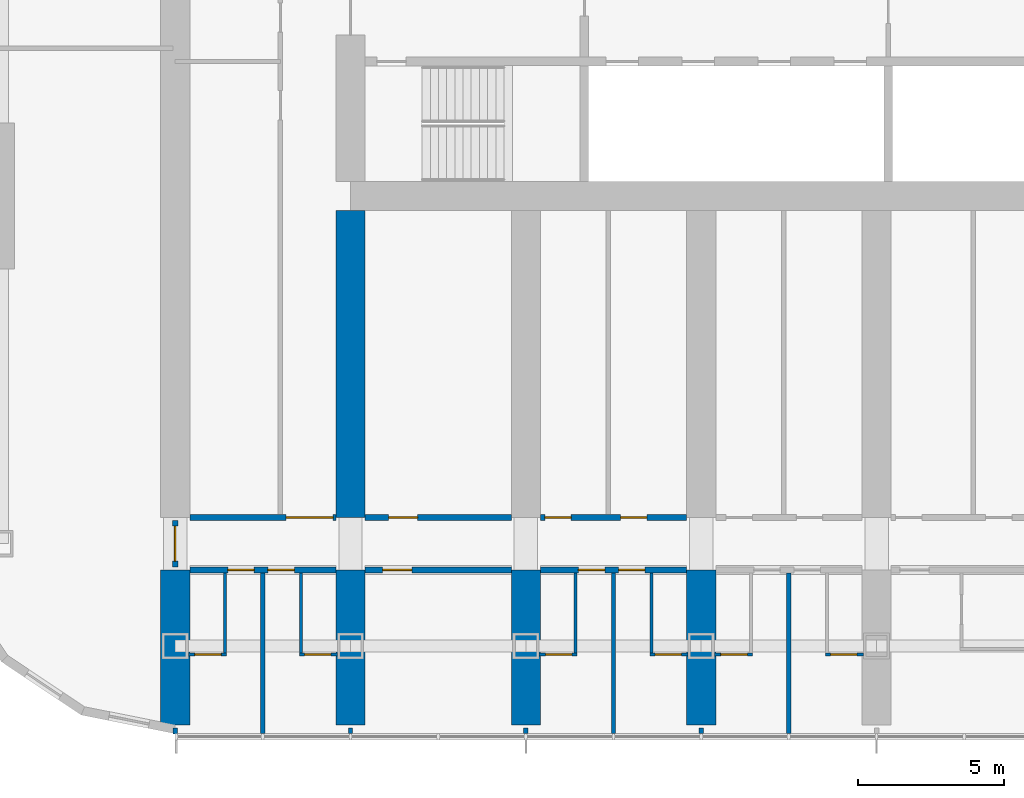
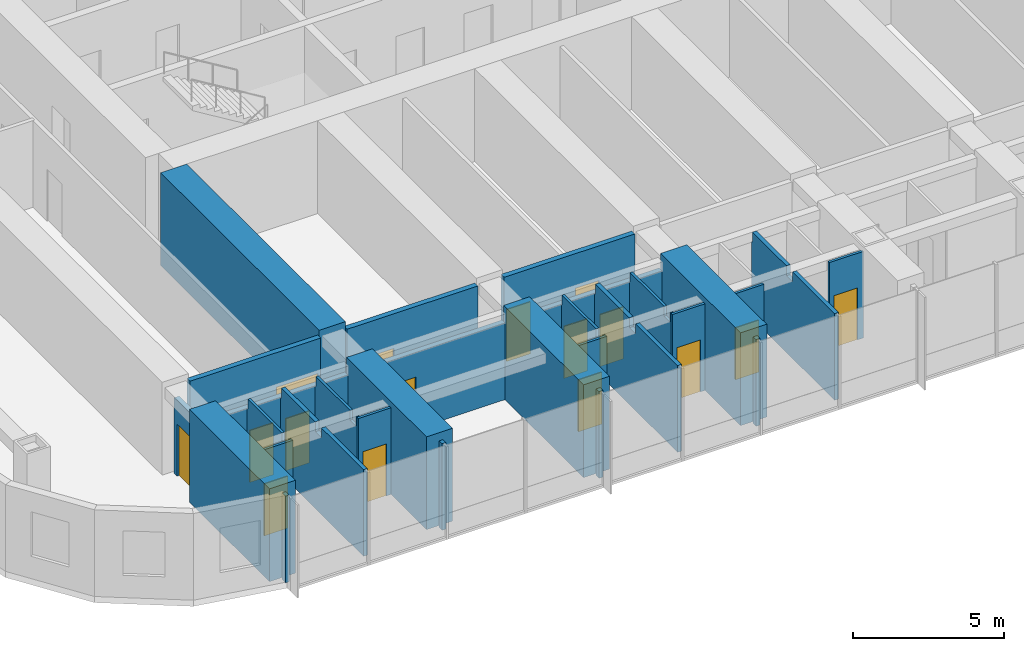
# One storey, part 10 of 23: 29 walls, 16 doors, 16 openings.
"""IFC4 building model written with IfcOpenShell, lengths in metres."""

from ifc_helpers import new_model, si_unit, direction, frame, frame_2d, origin, place, context, subcontext, project, spatial, polyline, rectangle, outline, extrude, material, layer, layer_set, type_object, element, fill, save


model = new_model("IFC4")

# Units and contexts
model_context = context("Model", 3, precision=1e-05, world=origin(), true_north=direction((0.0, 1.0)))
body_context = subcontext(model_context, "Body", "Model", "MODEL_VIEW")
ifc_project = project(units=[si_unit("LENGTHUNIT", "METRE"), si_unit("AREAUNIT", "SQUARE_METRE"), si_unit("VOLUMEUNIT", "CUBIC_METRE"), si_unit("PLANEANGLEUNIT", "RADIAN"), si_unit("MASSUNIT", "GRAM", prefix="KILO")], contexts=[model_context])

# Site, building, storey
site_placement = place(None, origin())
site = spatial("IfcSite", under=ifc_project, at=site_placement, CompositionType="ELEMENT")
building_placement = place(site_placement, origin())
building = spatial("IfcBuilding", under=site, at=building_placement, Name="Orbita Commons", CompositionType="ELEMENT")
storey_placement = place(building_placement, frame((0.0, 0.0, 42.699951171875)))
storey = spatial("IfcBuildingStorey", under=building, at=storey_placement, Name="L10", CompositionType="ELEMENT", Elevation=42.699951171875)

# Wall, openings, doors
ifc_material_1 = material(Name="Concrete blockwork", Category="masonry")
ifc_layer_1 = layer(ifc_material_1, 0.199951171875)
ifc_layer_set_1 = layer_set([ifc_layer_1], Name="Concrete blockwork")
wall_type_1 = type_object("IfcWallType", Name="Corridor wall 200 blockwork", PredefinedType="SOLIDWALL", material=ifc_layer_set_1)
wall_1_placement = place(storey_placement, frame((12.5, 13.0, 0.0), z_axis=(0.0, 0.0, 1.0), x_axis=(1.0, 0.0, 0.0)))
wall_1 = element("IfcWall", 1, at=wall_1_placement, inside=storey, type_object=wall_type_1, Name="Corridor wall 200 blockwork L10", PredefinedType="SOLIDWALL", context=body_context, shape_type="SweptSolid", body=[
    extrude(outline(polyline([(0.0, 0.0), (5.0, 0.0), (5.0, 3.10009765625), (0.0, 3.10009765625), (0.0, 0.0)])), frame((0.0, 0.10009765625, 0.0), z_axis=(0.0, -1.0, 0.0), x_axis=(1.0, 0.0, 0.0)), (0.0, 0.0, 1.0), 0.199951171875),
])
opening_1_placement = place(wall_1_placement, frame((1.300048828125, 0.0, 0.0)))
opening_1 = element("IfcOpeningElement", 2, at=opening_1_placement, cuts=wall_1, Name="Opening D11", PredefinedType="OPENING", context=body_context, shape_type="SweptSolid", body=[
    extrude(rectangle(XDim=0.89990234375, YDim=2.10009765625, at=frame_2d((0.449951171875, 1.050048828125))), frame((0.0, 0.10986328125, 0.0), z_axis=(0.0, -1.0, 0.0), x_axis=(1.0, 0.0, 0.0)), (0.0, 0.0, 1.0), 0.219970703125),
])
opening_2_placement = place(wall_1_placement, frame((2.675048828125, 0.0, 0.0)))
opening_2 = element("IfcOpeningElement", 3, at=opening_2_placement, cuts=wall_1, Name="Opening D11", PredefinedType="OPENING", context=body_context, shape_type="SweptSolid", body=[
    extrude(rectangle(XDim=0.89990234375, YDim=2.10009765625, at=frame_2d((0.449951171875, 1.050048828125))), frame((0.0, 0.10986328125, 0.0), z_axis=(0.0, -1.0, 0.0), x_axis=(1.0, 0.0, 0.0)), (0.0, 0.0, 1.0), 0.219970703125),
])
ifc_material_2 = material(Name="Steel-faced fire door leaf", Category="steel")
door_type_1 = type_object("IfcDoorType", Name="Corridor door 20 min 900x2100", OperationType="SINGLE_SWING_LEFT", PredefinedType="DOOR", material=ifc_material_2)
door_1_placement = place(opening_1_placement, origin())
door_1 = element("IfcDoor", 4, at=door_1_placement, inside=storey, type_object=door_type_1, Name="House bedroom L10-S00 door", OperationType="SINGLE_SWING_LEFT", OverallHeight=2.10009765625, OverallWidth=0.89990234375, PredefinedType="DOOR", context=body_context, shape_type="SweptSolid", body=[
    extrude(rectangle(XDim=0.89990234375, YDim=2.10009765625, at=frame_2d((0.449951171875, 1.050048828125))), frame((0.0, 0.02490234375, 0.0), z_axis=(0.0, -1.0, 0.0), x_axis=(1.0, 0.0, 0.0)), (0.0, 0.0, 1.0), 0.050048828125),
])
fill(opening_1, door_1)
door_2_placement = place(opening_2_placement, origin())
door_2 = element("IfcDoor", 5, at=door_2_placement, inside=storey, type_object=door_type_1, Name="House bedroom L10-S01 door", OperationType="SINGLE_SWING_LEFT", OverallHeight=2.10009765625, OverallWidth=0.89990234375, PredefinedType="DOOR", context=body_context, shape_type="SweptSolid", body=[
    extrude(rectangle(XDim=0.89990234375, YDim=2.10009765625, at=frame_2d((0.449951171875, 1.050048828125))), frame((0.0, 0.02490234375, 0.0), z_axis=(0.0, -1.0, 0.0), x_axis=(1.0, 0.0, 0.0)), (0.0, 0.0, 1.0), 0.050048828125),
])
fill(opening_2, door_2)

# Wall, opening, door
wall_2_placement = place(storey_placement, frame((18.5, 13.0, 0.0), z_axis=(0.0, 0.0, 1.0), x_axis=(1.0, 0.0, 0.0)))
wall_2 = element("IfcWall", 6, at=wall_2_placement, inside=storey, type_object=wall_type_1, Name="Corridor wall 200 blockwork L10", PredefinedType="SOLIDWALL", context=body_context, shape_type="SweptSolid", body=[
    extrude(outline(polyline([(0.0, 0.0), (5.0, 0.0), (5.0, 3.10009765625), (0.0, 3.10009765625), (0.0, 0.0)])), frame((0.0, 0.10009765625, 0.0), z_axis=(0.0, -1.0, 0.0), x_axis=(1.0, 0.0, 0.0)), (0.0, 0.0, 1.0), 0.199951171875),
])
opening_3_placement = place(wall_2_placement, frame((0.60009765625, 0.0, 0.0)))
opening_3 = element("IfcOpeningElement", 7, at=opening_3_placement, cuts=wall_2, Name="Opening D06", PredefinedType="OPENING", context=body_context, shape_type="SweptSolid", body=[
    extrude(rectangle(XDim=1.0, YDim=2.10009765625, at=frame_2d((0.5, 1.050048828125))), frame((0.0, 0.10986328125, 0.0), z_axis=(0.0, -1.0, 0.0), x_axis=(1.0, 0.0, 0.0)), (0.0, 0.0, 1.0), 0.219970703125),
])
ifc_material_3 = material(Name="Steel-faced fire door leaf", Category="steel")
door_type_2 = type_object("IfcDoorType", Name="Corridor door 20 min 1000x2100", OperationType="SINGLE_SWING_LEFT", PredefinedType="DOOR", material=ifc_material_3)
door_3_placement = place(opening_3_placement, origin())
door_3 = element("IfcDoor", 8, at=door_3_placement, inside=storey, type_object=door_type_2, Name="House study room L10-S02 door", OperationType="SINGLE_SWING_LEFT", OverallHeight=2.10009765625, OverallWidth=1.0, PredefinedType="DOOR", context=body_context, shape_type="SweptSolid", body=[
    extrude(rectangle(XDim=1.0, YDim=2.10009765625, at=frame_2d((0.5, 1.050048828125))), frame((0.0, 0.02490234375, 0.0), z_axis=(0.0, -1.0, 0.0), x_axis=(1.0, 0.0, 0.0)), (0.0, 0.0, 1.0), 0.050048828125),
])
fill(opening_3, door_3)

# Wall, openings, doors
wall_3_placement = place(storey_placement, frame((24.5, 13.0, 0.0), z_axis=(0.0, 0.0, 1.0), x_axis=(1.0, 0.0, 0.0)))
wall_3 = element("IfcWall", 9, at=wall_3_placement, inside=storey, type_object=wall_type_1, Name="Corridor wall 200 blockwork L10", PredefinedType="SOLIDWALL", context=body_context, shape_type="SweptSolid", body=[
    extrude(outline(polyline([(0.0, 0.0), (5.0, 0.0), (5.0, 3.10009765625), (0.0, 3.10009765625), (0.0, 0.0)])), frame((0.0, 0.10009765625, 0.0), z_axis=(0.0, -1.0, 0.0), x_axis=(1.0, 0.0, 0.0)), (0.0, 0.0, 1.0), 0.199951171875),
])
opening_4_placement = place(wall_3_placement, frame((1.300048828125, 0.0, 0.0)))
opening_4 = element("IfcOpeningElement", 10, at=opening_4_placement, cuts=wall_3, Name="Opening D11", PredefinedType="OPENING", context=body_context, shape_type="SweptSolid", body=[
    extrude(rectangle(XDim=0.89990234375, YDim=2.10009765625, at=frame_2d((0.449951171875, 1.050048828125))), frame((0.0, 0.10986328125, 0.0), z_axis=(0.0, -1.0, 0.0), x_axis=(1.0, 0.0, 0.0)), (0.0, 0.0, 1.0), 0.219970703125),
])
opening_5_placement = place(wall_3_placement, frame((2.675048828125, 0.0, 0.0)))
opening_5 = element("IfcOpeningElement", 11, at=opening_5_placement, cuts=wall_3, Name="Opening D11", PredefinedType="OPENING", context=body_context, shape_type="SweptSolid", body=[
    extrude(rectangle(XDim=0.89990234375, YDim=2.10009765625, at=frame_2d((0.449951171875, 1.050048828125))), frame((0.0, 0.10986328125, 0.0), z_axis=(0.0, -1.0, 0.0), x_axis=(1.0, 0.0, 0.0)), (0.0, 0.0, 1.0), 0.219970703125),
])
door_4_placement = place(opening_4_placement, origin())
door_4 = element("IfcDoor", 12, at=door_4_placement, inside=storey, type_object=door_type_1, Name="House bedroom L10-S04 door", OperationType="SINGLE_SWING_LEFT", OverallHeight=2.10009765625, OverallWidth=0.89990234375, PredefinedType="DOOR", context=body_context, shape_type="SweptSolid", body=[
    extrude(rectangle(XDim=0.89990234375, YDim=2.10009765625, at=frame_2d((0.449951171875, 1.050048828125))), frame((0.0, 0.02490234375, 0.0), z_axis=(0.0, -1.0, 0.0), x_axis=(1.0, 0.0, 0.0)), (0.0, 0.0, 1.0), 0.050048828125),
])
fill(opening_4, door_4)
door_5_placement = place(opening_5_placement, origin())
door_5 = element("IfcDoor", 13, at=door_5_placement, inside=storey, type_object=door_type_1, Name="House bedroom L10-S05 door", OperationType="SINGLE_SWING_LEFT", OverallHeight=2.10009765625, OverallWidth=0.89990234375, PredefinedType="DOOR", context=body_context, shape_type="SweptSolid", body=[
    extrude(rectangle(XDim=0.89990234375, YDim=2.10009765625, at=frame_2d((0.449951171875, 1.050048828125))), frame((0.0, 0.02490234375, 0.0), z_axis=(0.0, -1.0, 0.0), x_axis=(1.0, 0.0, 0.0)), (0.0, 0.0, 1.0), 0.050048828125),
])
fill(opening_5, door_5)

# Wall, opening, door
wall_4_placement = place(storey_placement, frame((12.0, 13.10009765625, 0.0), z_axis=(0.0, 0.0, 1.0), x_axis=(0.0, 1.0, 0.0)))
wall_4 = element("IfcWall", 14, at=wall_4_placement, inside=storey, type_object=wall_type_1, Name="Corridor wall 200 blockwork L10", PredefinedType="SOLIDWALL", context=body_context, shape_type="SweptSolid", body=[
    extrude(outline(polyline([(0.0, 0.0), (1.599853515625, 0.0), (1.60009765625, 3.050048828125), (0.0, 3.050048828125), (0.0, 0.0)])), frame((0.0, 0.10009765625, 0.0), z_axis=(0.0, -1.0, 0.0), x_axis=(1.0, 0.0, 0.0)), (0.0, 0.0, 1.0), 0.199951171875),
])
opening_6_placement = place(wall_4_placement, frame((0.199951171875, 0.0, 0.0)))
opening_6 = element("IfcOpeningElement", 15, at=opening_6_placement, cuts=wall_4, Name="Opening D12", PredefinedType="OPENING", context=body_context, shape_type="SweptSolid", body=[
    extrude(rectangle(XDim=1.199951171875, YDim=2.10009765625, at=frame_2d((0.60009765625, 1.050048828125))), frame((0.0, 0.10986328125, 0.0), z_axis=(0.0, -1.0, 0.0), x_axis=(1.0, 0.0, 0.0)), (0.0, 0.0, 1.0), 0.219970703125),
])
ifc_material_4 = material(Name="Steel-faced fire door leaf", Category="steel")
door_type_3 = type_object("IfcDoorType", Name="Double corridor door 20 min 1200x2100", OperationType="DOUBLE_DOOR_SINGLE_SWING", PredefinedType="DOOR", material=ifc_material_4)
door_6_placement = place(opening_6_placement, origin())
door_6 = element("IfcDoor", 16, at=door_6_placement, inside=storey, type_object=door_type_3, Name="Lounge doors", OperationType="DOUBLE_DOOR_SINGLE_SWING", OverallHeight=2.10009765625, OverallWidth=1.199951171875, PredefinedType="DOOR", context=body_context, shape_type="SweptSolid", body=[
    extrude(rectangle(XDim=1.199951171875, YDim=2.10009765625, at=frame_2d((0.60009765625, 1.050048828125))), frame((0.0, 0.02490234375, 0.0), z_axis=(0.0, -1.0, 0.0), x_axis=(1.0, 0.0, 0.0)), (0.0, 0.0, 1.0), 0.050048828125),
])
fill(opening_6, door_6)

ifc_material_5 = material(Name="Hollow concrete block 200", Category="concrete")
ifc_layer_2 = layer(ifc_material_5, 0.199951171875)
ifc_layer_set_2 = layer_set([ifc_layer_2], Name="Hollow concrete block 200")
wall_type_2 = type_object("IfcWallType", Name="Corridor wall 200 hollow concrete block", PredefinedType="SOLIDWALL", material=ifc_layer_set_2)
wall_5_placement = place(storey_placement, frame((12.5, 14.800048828125, 0.0), z_axis=(0.0, 0.0, 1.0), x_axis=(1.0, 0.0, 0.0)))
wall_5 = element("IfcWall", 17, at=wall_5_placement, inside=storey, type_object=wall_type_2, Name="Corridor wall 200 hollow concrete block L10", PredefinedType="SOLIDWALL", context=body_context, shape_type="SweptSolid", body=[
    extrude(rectangle(XDim=5.0, YDim=0.199951171875, at=frame_2d((2.5, 0.0))), origin(), (0.0, 0.0, 1.0), 3.5),
])
opening_7_placement = place(wall_5_placement, frame((3.300048828125, 0.0, 0.0)))
opening_7 = element("IfcOpeningElement", 18, at=opening_7_placement, cuts=wall_5, Name="Opening D10", PredefinedType="OPENING", context=body_context, shape_type="SweptSolid", body=[
    extrude(rectangle(XDim=1.60009765625, YDim=2.10009765625, at=frame_2d((0.800048828125, 1.050048828125))), frame((0.0, 0.10986328125, 0.0), z_axis=(0.0, -1.0, 0.0), x_axis=(1.0, 0.0, 0.0)), (0.0, 0.0, 1.0), 0.219970703125),
])
ifc_material_6 = material(Name="Steel-faced fire door leaf", Category="steel")
door_type_4 = type_object("IfcDoorType", Name="Double corridor door 20 min 1600x2100", OperationType="DOUBLE_DOOR_SINGLE_SWING", PredefinedType="DOOR", material=ifc_material_6)
door_7_placement = place(opening_7_placement, origin())
door_7 = element("IfcDoor", 19, at=door_7_placement, inside=storey, type_object=door_type_4, Name="Cross corridor doors", OperationType="DOUBLE_DOOR_SINGLE_SWING", OverallHeight=2.10009765625, OverallWidth=1.60009765625, PredefinedType="DOOR", context=body_context, shape_type="SweptSolid", body=[
    extrude(rectangle(XDim=1.60009765625, YDim=2.10009765625, at=frame_2d((0.800048828125, 1.050048828125))), frame((0.0, 0.02490234375, 0.0), z_axis=(0.0, -1.0, 0.0), x_axis=(1.0, 0.0, 0.0)), (0.0, 0.0, 1.0), 0.050048828125),
])
fill(opening_7, door_7)

wall_6_placement = place(storey_placement, frame((18.5, 14.800048828125, 0.0), z_axis=(0.0, 0.0, 1.0), x_axis=(1.0, 0.0, 0.0)))
wall_6 = element("IfcWall", 20, at=wall_6_placement, inside=storey, type_object=wall_type_2, Name="Corridor wall 200 hollow concrete block L10", PredefinedType="SOLIDWALL", context=body_context, shape_type="SweptSolid", body=[
    extrude(rectangle(XDim=5.0, YDim=0.199951171875, at=frame_2d((2.5, 0.0))), origin(), (0.0, 0.0, 1.0), 3.5),
])
opening_8_placement = place(wall_6_placement, frame((0.800048828125, 0.0, 0.0)))
opening_8 = element("IfcOpeningElement", 21, at=opening_8_placement, cuts=wall_6, Name="Opening D06", PredefinedType="OPENING", context=body_context, shape_type="SweptSolid", body=[
    extrude(rectangle(XDim=1.0, YDim=2.10009765625, at=frame_2d((0.5, 1.050048828125))), frame((0.0, 0.10986328125, 0.0), z_axis=(0.0, -1.0, 0.0), x_axis=(1.0, 0.0, 0.0)), (0.0, 0.0, 1.0), 0.219970703125),
])
door_8_placement = place(opening_8_placement, origin())
door_8 = element("IfcDoor", 22, at=door_8_placement, inside=storey, type_object=door_type_2, Name="IT and print room L10-BDS18 door", OperationType="SINGLE_SWING_LEFT", OverallHeight=2.10009765625, OverallWidth=1.0, PredefinedType="DOOR", context=body_context, shape_type="SweptSolid", body=[
    extrude(rectangle(XDim=1.0, YDim=2.10009765625, at=frame_2d((0.5, 1.050048828125))), frame((0.0, 0.02490234375, 0.0), z_axis=(0.0, -1.0, 0.0), x_axis=(1.0, 0.0, 0.0)), (0.0, 0.0, 1.0), 0.050048828125),
])
fill(opening_8, door_8)

# Wall, openings, doors
wall_7_placement = place(storey_placement, frame((24.5, 14.800048828125, 0.0), z_axis=(0.0, 0.0, 1.0), x_axis=(1.0, 0.0, 0.0)))
wall_7 = element("IfcWall", 23, at=wall_7_placement, inside=storey, type_object=wall_type_2, Name="Corridor wall 200 hollow concrete block L10", PredefinedType="SOLIDWALL", context=body_context, shape_type="SweptSolid", body=[
    extrude(rectangle(XDim=5.0, YDim=0.199951171875, at=frame_2d((2.5, 0.0))), origin(), (0.0, 0.0, 1.0), 3.5),
])
opening_9_placement = place(wall_7_placement, frame((0.14990234375, 0.0, 0.0)))
opening_9 = element("IfcOpeningElement", 24, at=opening_9_placement, cuts=wall_7, Name="Opening D11", PredefinedType="OPENING", context=body_context, shape_type="SweptSolid", body=[
    extrude(rectangle(XDim=0.89990234375, YDim=2.10009765625, at=frame_2d((0.449951171875, 1.050048828125))), frame((0.0, 0.10986328125, 0.0), z_axis=(0.0, -1.0, 0.0), x_axis=(1.0, 0.0, 0.0)), (0.0, 0.0, 1.0), 0.219970703125),
])
opening_10_placement = place(wall_7_placement, frame((2.739990234375, 0.0, 0.0)))
opening_10 = element("IfcOpeningElement", 25, at=opening_10_placement, cuts=wall_7, Name="Opening D11", PredefinedType="OPENING", context=body_context, shape_type="SweptSolid", body=[
    extrude(rectangle(XDim=0.89990234375, YDim=2.10009765625, at=frame_2d((0.449951171875, 1.050048828125))), frame((0.0, 0.10986328125, 0.0), z_axis=(0.0, -1.0, 0.0), x_axis=(1.0, 0.0, 0.0)), (0.0, 0.0, 1.0), 0.219970703125),
])
door_9_placement = place(opening_9_placement, origin())
door_9 = element("IfcDoor", 26, at=door_9_placement, inside=storey, type_object=door_type_1, Name="Accessible WC and shower room L10-BDS24n door", OperationType="SINGLE_SWING_LEFT", OverallHeight=2.10009765625, OverallWidth=0.89990234375, PredefinedType="DOOR", context=body_context, shape_type="SweptSolid", body=[
    extrude(rectangle(XDim=0.89990234375, YDim=2.10009765625, at=frame_2d((0.449951171875, 1.050048828125))), frame((0.0, 0.02490234375, 0.0), z_axis=(0.0, -1.0, 0.0), x_axis=(1.0, 0.0, 0.0)), (0.0, 0.0, 1.0), 0.050048828125),
])
fill(opening_9, door_9)
door_10_placement = place(opening_10_placement, origin())
door_10 = element("IfcDoor", 27, at=door_10_placement, inside=storey, type_object=door_type_1, Name="Bicycle repair workshop L10-BDS24 door", OperationType="SINGLE_SWING_LEFT", OverallHeight=2.10009765625, OverallWidth=0.89990234375, PredefinedType="DOOR", context=body_context, shape_type="SweptSolid", body=[
    extrude(rectangle(XDim=0.89990234375, YDim=2.10009765625, at=frame_2d((0.449951171875, 1.050048828125))), frame((0.0, 0.02490234375, 0.0), z_axis=(0.0, -1.0, 0.0), x_axis=(1.0, 0.0, 0.0)), (0.0, 0.0, 1.0), 0.050048828125),
])
fill(opening_10, door_10)

# Walls
ifc_material_7 = material(Name="Concrete C50/60", Category="concrete")
ifc_layer_3 = layer(ifc_material_7, 1.0)
ifc_layer_set_3 = layer_set([ifc_layer_3], Name="Concrete C50/60")
wall_type_3 = type_object("IfcWallType", Name="Cross wall 1000 C50/60", PredefinedType="SHEAR", material=ifc_layer_set_3)
for number, where, z_axis, x_axis, name in (
    (28, (12.0, 7.699951171875, 0.0), (0.0, 0.0, 1.0), (0.0, 1.0, 0.0), "Cross wall 3 south outer L10"),
    (29, (18.0, 7.699951171875, 0.0), (0.0, 0.0, 1.0), (0.0, 1.0, 0.0), "Cross wall 4 south outer L10"),
):
    element("IfcWall", number, at=place(storey_placement, frame(where, z_axis=z_axis, x_axis=x_axis)), inside=storey, type_object=wall_type_3, Name=name, PredefinedType="SHEAR", context=body_context, shape_type="SweptSolid", body=[
        extrude(rectangle(XDim=5.300048828125, YDim=1.0, at=frame_2d((2.64990234375, 0.0))), origin(), (0.0, 0.0, 1.0), 3.75),
    ])
wall_8_placement = place(storey_placement, frame((18.0, 14.800048828125, 0.0), z_axis=(0.0, 0.0, 1.0), x_axis=(0.0, 1.0, 0.0)))
element("IfcWall", 30, at=wall_8_placement, inside=storey, type_object=wall_type_3, Name="Cross wall 4 south inner L10", PredefinedType="SHEAR", context=body_context, shape_type="SweptSolid", body=[
    extrude(rectangle(XDim=10.5, YDim=1.0, at=frame_2d((5.25, 0.0))), origin(), (0.0, 0.0, 1.0), 3.75),
])
for number, where, z_axis, x_axis, name in (
    (31, (24.0, 7.699951171875, 0.0), (0.0, 0.0, 1.0), (0.0, 1.0, 0.0), "Cross wall 5 south outer L10"),
    (32, (30.0, 7.699951171875, 0.0), (0.0, 0.0, 1.0), (0.0, 1.0, 0.0), "Cross wall 6 south outer L10"),
):
    element("IfcWall", number, at=place(storey_placement, frame(where, z_axis=z_axis, x_axis=x_axis)), inside=storey, type_object=wall_type_3, Name=name, PredefinedType="SHEAR", context=body_context, shape_type="SweptSolid", body=[
        extrude(rectangle(XDim=5.300048828125, YDim=1.0, at=frame_2d((2.64990234375, 0.0))), origin(), (0.0, 0.0, 1.0), 3.75),
    ])

# Wall, opening, door
ifc_material_8 = material(Name="Moisture-resistant plasterboard on steel studs", Category="steel")
ifc_layer_4 = layer(ifc_material_8, 0.10009765625)
ifc_layer_set_4 = layer_set([ifc_layer_4], Name="Moisture-resistant plasterboard on steel studs")
wall_type_4 = type_object("IfcWallType", Name="En-suite partition 100", PredefinedType="PARTITIONING", material=ifc_layer_set_4)
wall_9_placement = place(storey_placement, frame((13.75, 10.10009765625, 0.0), z_axis=(0.0, 0.0, 1.0), x_axis=(-1.0, 0.0, 0.0)))
wall_9 = element("IfcWall", 33, at=wall_9_placement, inside=storey, type_object=wall_type_4, Name="En-suite partition 100 L10", PredefinedType="PARTITIONING", context=body_context, shape_type="SweptSolid", body=[
    extrude(rectangle(XDim=1.300048828125, YDim=0.10009765625, at=frame_2d((0.64990234375, 0.0))), origin(), (0.0, 0.0, 1.0), 3.5),
])
opening_11_placement = place(wall_9_placement, frame((0.175048828125, 0.0, 0.0)))
opening_11 = element("IfcOpeningElement", 34, at=opening_11_placement, cuts=wall_9, Name="Opening D09", PredefinedType="OPENING", context=body_context, shape_type="SweptSolid", body=[
    extrude(rectangle(XDim=0.89990234375, YDim=2.10009765625, at=frame_2d((0.449951171875, 1.050048828125))), frame((0.0, 0.06005859375, 0.0), z_axis=(0.0, -1.0, 0.0), x_axis=(1.0, 0.0, 0.0)), (0.0, 0.0, 1.0), 0.1201171875),
])
ifc_material_9 = material(Name="Laminated timber door leaf", Category="wood")
door_type_5 = type_object("IfcDoorType", Name="En-suite door 900x2100", OperationType="SINGLE_SWING_RIGHT", PredefinedType="DOOR", material=ifc_material_9)
door_11_placement = place(opening_11_placement, origin())
door_11 = element("IfcDoor", 35, at=door_11_placement, inside=storey, type_object=door_type_5, Name="En-suite L10-S00 door", OperationType="SINGLE_SWING_RIGHT", OverallHeight=2.10009765625, OverallWidth=0.89990234375, PredefinedType="DOOR", context=body_context, shape_type="SweptSolid", body=[
    extrude(rectangle(XDim=0.89990234375, YDim=2.10009765625, at=frame_2d((0.449951171875, 1.050048828125))), frame((0.0, 0.02490234375, 0.0), z_axis=(0.0, -1.0, 0.0), x_axis=(1.0, 0.0, 0.0)), (0.0, 0.0, 1.0), 0.050048828125),
])
fill(opening_11, door_11)

# Wall
wall_10_placement = place(storey_placement, frame((13.699951171875, 10.14990234375, 0.0), z_axis=(0.0, 0.0, 1.0), x_axis=(0.0, 1.0, 0.0)))
element("IfcWall", 36, at=wall_10_placement, inside=storey, type_object=wall_type_4, Name="En-suite partition 100 L10", PredefinedType="PARTITIONING", context=body_context, shape_type="SweptSolid", body=[
    extrude(outline(polyline([(0.0, 0.0), (2.75, 0.0), (2.75, 3.10009765625), (2.701904296875, 3.10009765625), (2.699951171875, 3.5), (0.451904296875, 3.5), (0.449951171875, 3.10009765625), (0.052001953125, 3.10009765625), (0.050048828125, 3.5), (0.0, 3.5), (0.0, 0.0)])), frame((0.0, 0.050048828125, 0.0), z_axis=(0.0, -1.0, 0.0), x_axis=(1.0, 0.0, 0.0)), (0.0, 0.0, 1.0), 0.10009765625),
])

# Wall, opening, door
wall_11_placement = place(storey_placement, frame((17.550048828125, 10.10009765625, 0.0), z_axis=(0.0, 0.0, 1.0), x_axis=(-1.0, 0.0, 0.0)))
wall_11 = element("IfcWall", 37, at=wall_11_placement, inside=storey, type_object=wall_type_4, Name="En-suite partition 100 L10", PredefinedType="PARTITIONING", context=body_context, shape_type="SweptSolid", body=[
    extrude(rectangle(XDim=1.300048828125, YDim=0.10009765625, at=frame_2d((0.64990234375, 0.0))), origin(), (0.0, 0.0, 1.0), 3.5),
])
opening_12_placement = place(wall_11_placement, frame((0.22509765625, 0.0, 0.0)))
opening_12 = element("IfcOpeningElement", 38, at=opening_12_placement, cuts=wall_11, Name="Opening D09", PredefinedType="OPENING", context=body_context, shape_type="SweptSolid", body=[
    extrude(rectangle(XDim=0.89990234375, YDim=2.10009765625, at=frame_2d((0.449951171875, 1.050048828125))), frame((0.0, 0.06005859375, 0.0), z_axis=(0.0, -1.0, 0.0), x_axis=(1.0, 0.0, 0.0)), (0.0, 0.0, 1.0), 0.1201171875),
])
door_12_placement = place(opening_12_placement, origin())
door_12 = element("IfcDoor", 39, at=door_12_placement, inside=storey, type_object=door_type_5, Name="En-suite L10-S01 door", OperationType="SINGLE_SWING_RIGHT", OverallHeight=2.10009765625, OverallWidth=0.89990234375, PredefinedType="DOOR", context=body_context, shape_type="SweptSolid", body=[
    extrude(rectangle(XDim=0.89990234375, YDim=2.10009765625, at=frame_2d((0.449951171875, 1.050048828125))), frame((0.0, 0.02490234375, 0.0), z_axis=(0.0, -1.0, 0.0), x_axis=(1.0, 0.0, 0.0)), (0.0, 0.0, 1.0), 0.050048828125),
])
fill(opening_12, door_12)

# Wall
wall_12_placement = place(storey_placement, frame((16.300048828125, 10.14990234375, 0.0), z_axis=(0.0, 0.0, 1.0), x_axis=(0.0, 1.0, 0.0)))
element("IfcWall", 40, at=wall_12_placement, inside=storey, type_object=wall_type_4, Name="En-suite partition 100 L10", PredefinedType="PARTITIONING", context=body_context, shape_type="SweptSolid", body=[
    extrude(outline(polyline([(0.0, 0.0), (2.75, 0.0), (2.75, 3.10009765625), (2.701904296875, 3.10009765625), (2.699951171875, 3.5), (0.451904296875, 3.5), (0.449951171875, 3.10009765625), (0.052001953125, 3.10009765625), (0.050048828125, 3.5), (0.0, 3.5), (0.0, 0.0)])), frame((0.0, 0.050048828125, 0.0), z_axis=(0.0, -1.0, 0.0), x_axis=(1.0, 0.0, 0.0)), (0.0, 0.0, 1.0), 0.10009765625),
])

# Wall, opening, door
wall_13_placement = place(storey_placement, frame((25.75, 10.10009765625, 0.0), z_axis=(0.0, 0.0, 1.0), x_axis=(-1.0, 0.0, 0.0)))
wall_13 = element("IfcWall", 41, at=wall_13_placement, inside=storey, type_object=wall_type_4, Name="En-suite partition 100 L10", PredefinedType="PARTITIONING", context=body_context, shape_type="SweptSolid", body=[
    extrude(rectangle(XDim=1.300048828125, YDim=0.10009765625, at=frame_2d((0.64990234375, 0.0))), origin(), (0.0, 0.0, 1.0), 3.5),
])
opening_13_placement = place(wall_13_placement, frame((0.175048828125, 0.0, 0.0)))
opening_13 = element("IfcOpeningElement", 42, at=opening_13_placement, cuts=wall_13, Name="Opening D09", PredefinedType="OPENING", context=body_context, shape_type="SweptSolid", body=[
    extrude(rectangle(XDim=0.89990234375, YDim=2.10009765625, at=frame_2d((0.449951171875, 1.050048828125))), frame((0.0, 0.06005859375, 0.0), z_axis=(0.0, -1.0, 0.0), x_axis=(1.0, 0.0, 0.0)), (0.0, 0.0, 1.0), 0.1201171875),
])
door_13_placement = place(opening_13_placement, origin())
door_13 = element("IfcDoor", 43, at=door_13_placement, inside=storey, type_object=door_type_5, Name="En-suite L10-S04 door", OperationType="SINGLE_SWING_RIGHT", OverallHeight=2.10009765625, OverallWidth=0.89990234375, PredefinedType="DOOR", context=body_context, shape_type="SweptSolid", body=[
    extrude(rectangle(XDim=0.89990234375, YDim=2.10009765625, at=frame_2d((0.449951171875, 1.050048828125))), frame((0.0, 0.02490234375, 0.0), z_axis=(0.0, -1.0, 0.0), x_axis=(1.0, 0.0, 0.0)), (0.0, 0.0, 1.0), 0.050048828125),
])
fill(opening_13, door_13)

# Wall
wall_14_placement = place(storey_placement, frame((25.699951171875, 10.14990234375, 0.0), z_axis=(0.0, 0.0, 1.0), x_axis=(0.0, 1.0, 0.0)))
element("IfcWall", 44, at=wall_14_placement, inside=storey, type_object=wall_type_4, Name="En-suite partition 100 L10", PredefinedType="PARTITIONING", context=body_context, shape_type="SweptSolid", body=[
    extrude(outline(polyline([(0.0, 0.0), (2.75, 0.0), (2.75, 3.10009765625), (2.701904296875, 3.10009765625), (2.699951171875, 3.5), (0.451904296875, 3.5), (0.449951171875, 3.10009765625), (0.052001953125, 3.10009765625), (0.050048828125, 3.5), (0.0, 3.5), (0.0, 0.0)])), frame((0.0, 0.050048828125, 0.0), z_axis=(0.0, -1.0, 0.0), x_axis=(1.0, 0.0, 0.0)), (0.0, 0.0, 1.0), 0.10009765625),
])

# Wall, opening, door
wall_15_placement = place(storey_placement, frame((29.550048828125, 10.10009765625, 0.0), z_axis=(0.0, 0.0, 1.0), x_axis=(-1.0, 0.0, 0.0)))
wall_15 = element("IfcWall", 45, at=wall_15_placement, inside=storey, type_object=wall_type_4, Name="En-suite partition 100 L10", PredefinedType="PARTITIONING", context=body_context, shape_type="SweptSolid", body=[
    extrude(rectangle(XDim=1.300048828125, YDim=0.10009765625, at=frame_2d((0.64990234375, 0.0))), origin(), (0.0, 0.0, 1.0), 3.5),
])
opening_14_placement = place(wall_15_placement, frame((0.22509765625, 0.0, 0.0)))
opening_14 = element("IfcOpeningElement", 46, at=opening_14_placement, cuts=wall_15, Name="Opening D09", PredefinedType="OPENING", context=body_context, shape_type="SweptSolid", body=[
    extrude(rectangle(XDim=0.89990234375, YDim=2.10009765625, at=frame_2d((0.449951171875, 1.050048828125))), frame((0.0, 0.06005859375, 0.0), z_axis=(0.0, -1.0, 0.0), x_axis=(1.0, 0.0, 0.0)), (0.0, 0.0, 1.0), 0.1201171875),
])
door_14_placement = place(opening_14_placement, origin())
door_14 = element("IfcDoor", 47, at=door_14_placement, inside=storey, type_object=door_type_5, Name="En-suite L10-S05 door", OperationType="SINGLE_SWING_RIGHT", OverallHeight=2.10009765625, OverallWidth=0.89990234375, PredefinedType="DOOR", context=body_context, shape_type="SweptSolid", body=[
    extrude(rectangle(XDim=0.89990234375, YDim=2.10009765625, at=frame_2d((0.449951171875, 1.050048828125))), frame((0.0, 0.02490234375, 0.0), z_axis=(0.0, -1.0, 0.0), x_axis=(1.0, 0.0, 0.0)), (0.0, 0.0, 1.0), 0.050048828125),
])
fill(opening_14, door_14)

# Wall
wall_16_placement = place(storey_placement, frame((28.300048828125, 10.14990234375, 0.0), z_axis=(0.0, 0.0, 1.0), x_axis=(0.0, 1.0, 0.0)))
element("IfcWall", 48, at=wall_16_placement, inside=storey, type_object=wall_type_4, Name="En-suite partition 100 L10", PredefinedType="PARTITIONING", context=body_context, shape_type="SweptSolid", body=[
    extrude(outline(polyline([(0.0, 0.0), (2.75, 0.0), (2.75, 3.10009765625), (2.701904296875, 3.10009765625), (2.699951171875, 3.5), (0.451904296875, 3.5), (0.449951171875, 3.10009765625), (0.052001953125, 3.10009765625), (0.050048828125, 3.5), (0.0, 3.5), (0.0, 0.0)])), frame((0.0, 0.050048828125, 0.0), z_axis=(0.0, -1.0, 0.0), x_axis=(1.0, 0.0, 0.0)), (0.0, 0.0, 1.0), 0.10009765625),
])

# Wall, opening, door
wall_17_placement = place(storey_placement, frame((31.75, 10.10009765625, 0.0), z_axis=(0.0, 0.0, 1.0), x_axis=(-1.0, 0.0, 0.0)))
wall_17 = element("IfcWall", 49, at=wall_17_placement, inside=storey, type_object=wall_type_4, Name="En-suite partition 100 L10", PredefinedType="PARTITIONING", context=body_context, shape_type="SweptSolid", body=[
    extrude(rectangle(XDim=1.300048828125, YDim=0.10009765625, at=frame_2d((0.64990234375, 0.0))), origin(), (0.0, 0.0, 1.0), 3.5),
])
opening_15_placement = place(wall_17_placement, frame((0.175048828125, 0.0, 0.0)))
opening_15 = element("IfcOpeningElement", 50, at=opening_15_placement, cuts=wall_17, Name="Opening D09", PredefinedType="OPENING", context=body_context, shape_type="SweptSolid", body=[
    extrude(rectangle(XDim=0.89990234375, YDim=2.10009765625, at=frame_2d((0.449951171875, 1.050048828125))), frame((0.0, 0.06005859375, 0.0), z_axis=(0.0, -1.0, 0.0), x_axis=(1.0, 0.0, 0.0)), (0.0, 0.0, 1.0), 0.1201171875),
])
door_15_placement = place(opening_15_placement, origin())
door_15 = element("IfcDoor", 51, at=door_15_placement, inside=storey, type_object=door_type_5, Name="En-suite L10-S06 door", OperationType="SINGLE_SWING_RIGHT", OverallHeight=2.10009765625, OverallWidth=0.89990234375, PredefinedType="DOOR", context=body_context, shape_type="SweptSolid", body=[
    extrude(rectangle(XDim=0.89990234375, YDim=2.10009765625, at=frame_2d((0.449951171875, 1.050048828125))), frame((0.0, 0.02490234375, 0.0), z_axis=(0.0, -1.0, 0.0), x_axis=(1.0, 0.0, 0.0)), (0.0, 0.0, 1.0), 0.050048828125),
])
fill(opening_15, door_15)

wall_18_placement = place(storey_placement, frame((35.550048828125, 10.10009765625, 0.0), z_axis=(0.0, 0.0, 1.0), x_axis=(-1.0, 0.0, 0.0)))
wall_18 = element("IfcWall", 52, at=wall_18_placement, inside=storey, type_object=wall_type_4, Name="En-suite partition 100 L10", PredefinedType="PARTITIONING", context=body_context, shape_type="SweptSolid", body=[
    extrude(rectangle(XDim=1.300048828125, YDim=0.10009765625, at=frame_2d((0.64990234375, 0.0))), origin(), (0.0, 0.0, 1.0), 3.5),
])
opening_16_placement = place(wall_18_placement, frame((0.22509765625, 0.0, 0.0)))
opening_16 = element("IfcOpeningElement", 53, at=opening_16_placement, cuts=wall_18, Name="Opening D09", PredefinedType="OPENING", context=body_context, shape_type="SweptSolid", body=[
    extrude(rectangle(XDim=0.89990234375, YDim=2.10009765625, at=frame_2d((0.449951171875, 1.050048828125))), frame((0.0, 0.06005859375, 0.0), z_axis=(0.0, -1.0, 0.0), x_axis=(1.0, 0.0, 0.0)), (0.0, 0.0, 1.0), 0.1201171875),
])
door_16_placement = place(opening_16_placement, origin())
door_16 = element("IfcDoor", 54, at=door_16_placement, inside=storey, type_object=door_type_5, Name="En-suite L10-S07 door", OperationType="SINGLE_SWING_RIGHT", OverallHeight=2.10009765625, OverallWidth=0.89990234375, PredefinedType="DOOR", context=body_context, shape_type="SweptSolid", body=[
    extrude(rectangle(XDim=0.89990234375, YDim=2.10009765625, at=frame_2d((0.449951171875, 1.050048828125))), frame((0.0, 0.02490234375, 0.0), z_axis=(0.0, -1.0, 0.0), x_axis=(1.0, 0.0, 0.0)), (0.0, 0.0, 1.0), 0.050048828125),
])
fill(opening_16, door_16)

# Walls
ifc_material_10 = material(Name="Gypsum plasterboard on steel studs", Category="steel")
ifc_layer_5 = layer(ifc_material_10, 0.14990234375)
ifc_layer_set_5 = layer_set([ifc_layer_5], Name="Gypsum plasterboard on steel studs")
wall_type_5 = type_object("IfcWallType", Name="Partition 150 plasterboard", PredefinedType="PARTITIONING", material=ifc_layer_set_5)
wall_19_placement = place(storey_placement, frame((12.0, 7.60009765625, 0.0), z_axis=(0.0, 0.0, 1.0), x_axis=(0.0, -1.0, 0.0)))
element("IfcWall", 55, at=wall_19_placement, inside=storey, type_object=wall_type_5, Name="Partition 150 plasterboard L10", PredefinedType="PARTITIONING", context=body_context, shape_type="SweptSolid", body=[
    extrude(rectangle(XDim=0.22021484375, YDim=0.14990234375, at=frame_2d((0.110107421875, 0.0))), origin(), (0.0, 0.0, 1.0), 3.5),
])
for number, where, z_axis, x_axis, name in (
    (56, (18.0, 7.60009765625, 0.0), (0.0, 0.0, 1.0), (0.0, -1.0, 0.0), "Partition 150 plasterboard L10"),
    (57, (24.0, 7.60009765625, 0.0), (0.0, 0.0, 1.0), (0.0, -1.0, 0.0), "Partition 150 plasterboard L10"),
    (58, (30.0, 7.60009765625, 0.0), (0.0, 0.0, 1.0), (0.0, -1.0, 0.0), "Partition 150 plasterboard L10"),
):
    element("IfcWall", number, at=place(storey_placement, frame(where, z_axis=z_axis, x_axis=x_axis)), inside=storey, type_object=wall_type_5, Name=name, PredefinedType="PARTITIONING", context=body_context, shape_type="SweptSolid", body=[
        extrude(rectangle(XDim=0.190185546875, YDim=0.14990234375, at=frame_2d((0.09521484375, 0.0))), origin(), (0.0, 0.0, 1.0), 3.5),
    ])
ifc_material_11 = material(Name="Gypsum plasterboard on steel studs", Category="steel")
ifc_layer_6 = layer(ifc_material_11, 0.14990234375)
ifc_layer_set_6 = layer_set([ifc_layer_6], Name="Gypsum plasterboard on steel studs")
wall_type_6 = type_object("IfcWallType", Name="Party wall 150 plasterboard", PredefinedType="PARTITIONING", material=ifc_layer_set_6)
for number, where, z_axis, x_axis, name in (
    (59, (15.0, 7.409912109375, 0.0), (0.0, 0.0, 1.0), (0.0, 1.0, 0.0), "Party wall 150 plasterboard L10"),
    (60, (27.0, 7.409912109375, 0.0), (0.0, 0.0, 1.0), (0.0, 1.0, 0.0), "Party wall 150 plasterboard L10"),
    (61, (33.0, 7.409912109375, 0.0), (0.0, 0.0, 1.0), (0.0, 1.0, 0.0), "Party wall 150 plasterboard L10"),
):
    element("IfcWall", number, at=place(storey_placement, frame(where, z_axis=z_axis, x_axis=x_axis)), inside=storey, type_object=wall_type_6, Name=name, PredefinedType="PARTITIONING", context=body_context, shape_type="SweptSolid", body=[
        extrude(outline(polyline([(0.0, 0.0), (5.489990234375, 0.0), (5.489990234375, 3.10009765625), (5.44189453125, 3.10009765625), (5.43994140625, 3.5), (3.19189453125, 3.5), (3.18994140625, 3.10009765625), (2.7919921875, 3.10009765625), (2.7900390625, 3.5), (0.0, 3.5), (0.0, 0.0)])), frame((0.0, 0.074951171875, 0.0), z_axis=(0.0, -1.0, 0.0), x_axis=(1.0, 0.0, 0.0)), (0.0, 0.0, 1.0), 0.14990234375),
    ])

save(model, "model.ifc")
